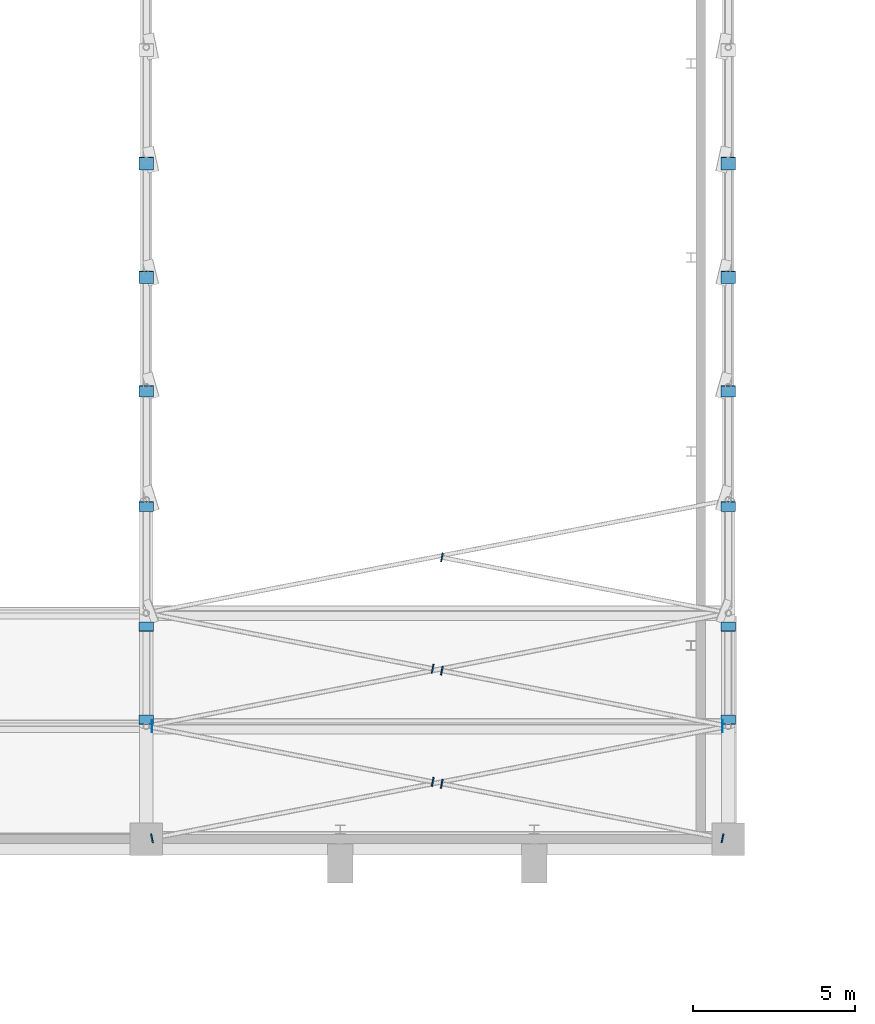
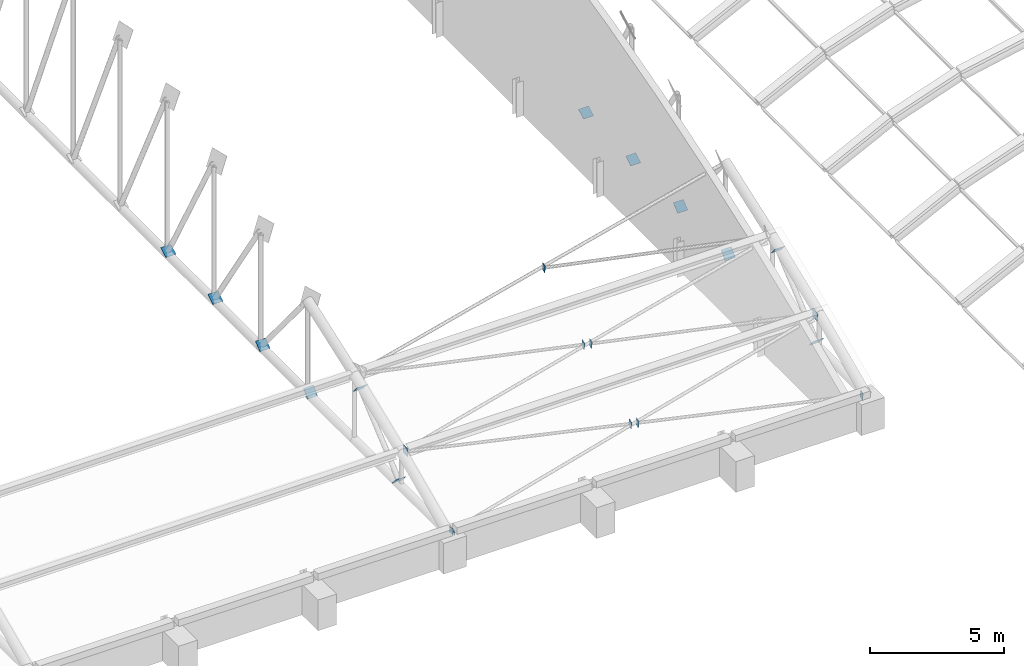
# One storey, part 148 of 196: 21 discrete accessories.
"""IFC4 building model written with IfcOpenShell, lengths in metres."""

from ifc_helpers import new_model, si_unit, direction, frame, origin, origin_2d, place, context, subcontext, project, spatial, rectangle, extrude, material, layer, layer_set, type_object, element, save


model = new_model("IFC4")

# Units and contexts
model_context = context("Model", 3, precision=1e-05, world=origin(), true_north=direction((0.0, 1.0)))
body_context = subcontext(model_context, "Body", "Model", "MODEL_VIEW")
ifc_project = project(units=[si_unit("LENGTHUNIT", "METRE"), si_unit("AREAUNIT", "SQUARE_METRE"), si_unit("VOLUMEUNIT", "CUBIC_METRE"), si_unit("PLANEANGLEUNIT", "RADIAN"), si_unit("MASSUNIT", "GRAM", prefix="KILO")], contexts=[model_context])

# Site, building, storey
site_placement = place(None, origin())
site = spatial("IfcSite", under=ifc_project, at=site_placement, CompositionType="ELEMENT")
building_placement = place(site_placement, origin())
building = spatial("IfcBuilding", under=site, at=building_placement, Name="Okhra Congress Centre", CompositionType="ELEMENT")
storey_placement = place(building_placement, frame((0.0, 0.0, 12.0)))
storey = spatial("IfcBuildingStorey", under=building, at=storey_placement, Name="L02", CompositionType="ELEMENT", Elevation=12.0)

# Discrete accessories
ifc_material = material(Name="Steel S355J2", Category="steel")
ifc_layer = layer(ifc_material, 0.02001953125)
ifc_layer_set = layer_set([ifc_layer], Name="Brace end connection plate 20 mm S355")
discrete_accessory_type = type_object("IfcDiscreteAccessoryType", Name="Brace end connection plate 20 mm S355", PredefinedType="BRACKET", material=ifc_layer_set)
for number, where, z_axis, x_axis, name in (
    (1, (136.0, 138.57421875, 4.01220703125), (0.0, 0.760121344352, 0.649781149204), (-1.0, 0.0, 0.0), "Brace end connection plate"),
    (2, (136.0, 135.709228515625, 1.577880859375), (0.0, -0.760121344352, -0.649781149204), (1.0, 0.0, 0.0), "Brace end connection plate"),
    (3, (136.0, 142.290771484375, 1.577880859375), (0.0, 0.760121344352, -0.649781149204), (-1.0, 0.0, 0.0), "Brace end connection plate"),
    (4, (136.0, 145.852783203125, 1.577880859375), (0.0, 0.643761629109, -0.765226087432), (-1.0, 0.0, 0.0), "Brace end connection plate"),
    (5, (136.0, 149.38330078125, 1.577880859375), (0.0, 0.546267780547, -0.837610596839), (-1.0, 0.0, 0.0), "Brace end connection plate"),
    (6, (136.0, 152.9013671875, 1.577880859375), (0.0, 0.485642931179, -0.874157276122), (-1.0, 0.0, 0.0), "Brace end connection plate"),
    (7, (154.0, 138.57421875, 4.01220703125), (0.0, 0.760121344352, 0.649781149204), (-1.0, 0.0, 0.0), "Brace end connection plate"),
    (8, (154.0, 135.709228515625, 1.577880859375), (0.0, -0.760121344352, -0.649781149204), (1.0, 0.0, 0.0), "Brace end connection plate"),
    (9, (154.0, 142.290771484375, 1.577880859375), (0.0, 0.760121344352, -0.649781149204), (-1.0, 0.0, 0.0), "Brace end connection plate"),
    (10, (154.0, 145.852783203125, 1.577880859375), (0.0, 0.643761629109, -0.765226087432), (-1.0, 0.0, 0.0), "Brace end connection plate"),
    (11, (154.0, 149.38330078125, 1.577880859375), (0.0, 0.546267780547, -0.837610596839), (-1.0, 0.0, 0.0), "Brace end connection plate"),
    (12, (154.0, 152.9013671875, 1.577880859375), (0.0, 0.485642931179, -0.874157276122), (-1.0, 0.0, 0.0), "Brace end connection plate"),
):
    element("IfcDiscreteAccessory", number, at=place(storey_placement, frame(where, z_axis=z_axis, x_axis=x_axis)), inside=storey, type_object=discrete_accessory_type, Name=name, PredefinedType="BRACKET", context=body_context, shape_type="SweptSolid", body=[
        extrude(rectangle(XDim=0.43798828125, YDim=0.43798828125, at=origin_2d()), origin(), (0.0, 0.0, 1.0), 0.02001953125),
    ])
discrete_accessory_1_placement = place(storey_placement, frame((136.185546875, 132.0361328125, 1.416259765625), z_axis=(-0.97699107393, -0.195398214786, -0.085486718969), x_axis=(0.196116135138, -0.980580675691, 0.0)))
element("IfcDiscreteAccessory", 13, at=discrete_accessory_1_placement, inside=storey, type_object=discrete_accessory_type, Name="Brace end connection plate", PredefinedType="BRACKET", context=body_context, shape_type="SweptSolid", body=[
    extrude(rectangle(XDim=0.279052734375, YDim=0.279052734375, at=origin_2d()), origin(), (0.0, 0.0, 1.0), 0.02001953125),
])
discrete_accessory_2_placement = place(storey_placement, frame((153.814453125, 135.5, 2.966064453125), z_axis=(1.0, 0.0, 0.0), x_axis=(0.0, 1.0, 0.0)))
element("IfcDiscreteAccessory", 14, at=discrete_accessory_2_placement, inside=storey, type_object=discrete_accessory_type, Name="Brace end connection plate", PredefinedType="BRACKET", context=body_context, shape_type="SweptSolid", body=[
    extrude(rectangle(XDim=0.35791015625, YDim=0.35791015625, at=origin_2d()), origin(), (0.0, 0.0, 1.0), 0.019775390625),
])
for number, where, z_axis, x_axis, name in (
    (15, (153.814453125, 132.0361328125, 1.416259765625), (0.97699107393, -0.195398214786, -0.085486718969), (0.196116135138, 0.980580675691, 0.0), "Brace end connection plate"),
    (16, (145.14990234375, 133.720947265625, 2.17041015625), (-0.979257453545, 0.18361077254, 0.085685027185), (-0.18428853505, -0.982872186934, 0.0), "Brace end connection plate"),
    (17, (144.85009765625, 133.779052734375, 2.196533203125), (0.979257453545, -0.18361077254, -0.085685027185), (0.18428853505, 0.982872186934, 0.0), "Brace end connection plate"),
):
    element("IfcDiscreteAccessory", number, at=place(storey_placement, frame(where, z_axis=z_axis, x_axis=x_axis)), inside=storey, type_object=discrete_accessory_type, Name=name, PredefinedType="BRACKET", context=body_context, shape_type="SweptSolid", body=[
        extrude(rectangle(XDim=0.279052734375, YDim=0.279052734375, at=origin_2d()), origin(), (0.0, 0.0, 1.0), 0.02001953125),
    ])
discrete_accessory_3_placement = place(storey_placement, frame((136.185546875, 135.5, 2.966064453125), z_axis=(-1.0, 0.0, 0.0), x_axis=(0.0, -1.0, 0.0)))
element("IfcDiscreteAccessory", 18, at=discrete_accessory_3_placement, inside=storey, type_object=discrete_accessory_type, Name="Brace end connection plate", PredefinedType="BRACKET", context=body_context, shape_type="SweptSolid", body=[
    extrude(rectangle(XDim=0.35791015625, YDim=0.35791015625, at=origin_2d()), origin(), (0.0, 0.0, 1.0), 0.019775390625),
])
for number, where, z_axis, x_axis, name in (
    (19, (145.152587890625, 137.22021484375, 3.658447265625), (-0.977939573758, 0.195587914752, 0.073345468032), (-0.196116135138, -0.980580675691, 0.0), "Brace end connection plate"),
    (20, (144.847412109375, 137.27978515625, 3.682373046875), (0.977939573758, -0.195587914752, -0.073345468032), (0.196116135138, 0.980580675691, 0.0), "Brace end connection plate"),
    (21, (145.155029296875, 140.719970703125, 4.99072265625), (-0.980212576021, 0.183789858004, 0.073515943202), (-0.18428853505, -0.982872186934, 0.0), "Brace end connection plate"),
):
    element("IfcDiscreteAccessory", number, at=place(storey_placement, frame(where, z_axis=z_axis, x_axis=x_axis)), inside=storey, type_object=discrete_accessory_type, Name=name, PredefinedType="BRACKET", context=body_context, shape_type="SweptSolid", body=[
        extrude(rectangle(XDim=0.279052734375, YDim=0.279052734375, at=origin_2d()), origin(), (0.0, 0.0, 1.0), 0.02001953125),
    ])

save(model, "model.ifc")
